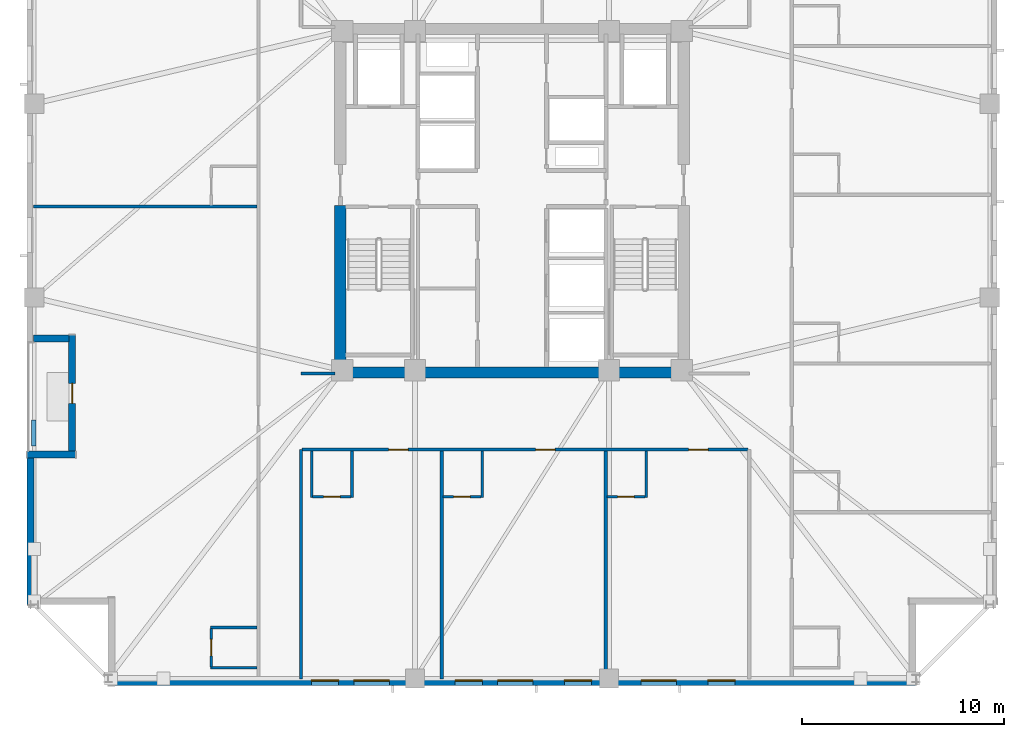
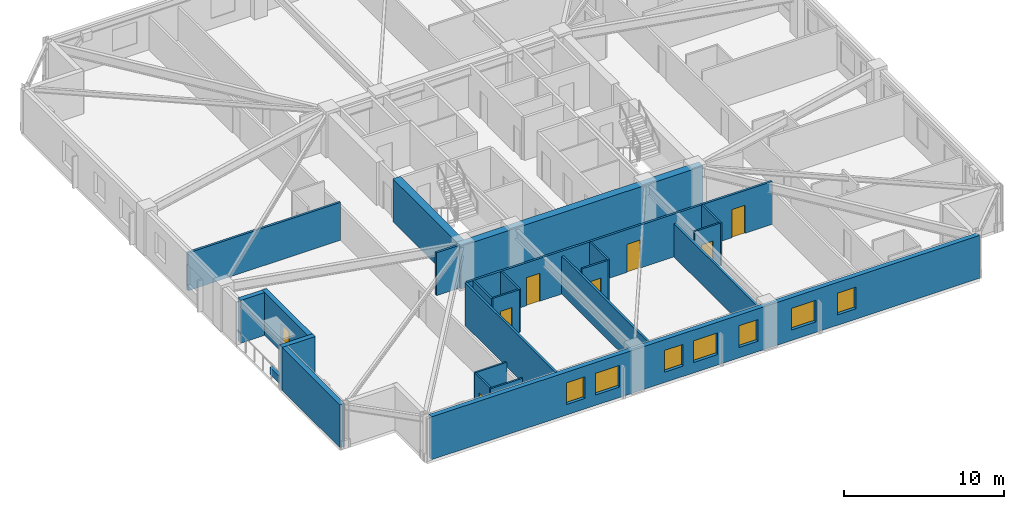
# One storey, part 2 of 11: 24 walls, 8 doors, 7 windows, 15 openings.
"""IFC4 building model written with IfcOpenShell, lengths in metres."""

from ifc_helpers import new_model, si_unit, direction, frame, frame_2d, origin, place, context, subcontext, project, spatial, rectangle, extrude, material, layer, layer_set, type_object, element, fill, save


model = new_model("IFC4")

# Units and contexts
model_context = context("Model", 3, precision=1e-05, world=origin(), true_north=direction((0.0, 1.0)))
body_context = subcontext(model_context, "Body", "Model", "MODEL_VIEW")
ifc_project = project(units=[si_unit("LENGTHUNIT", "METRE"), si_unit("AREAUNIT", "SQUARE_METRE"), si_unit("VOLUMEUNIT", "CUBIC_METRE"), si_unit("PLANEANGLEUNIT", "RADIAN"), si_unit("MASSUNIT", "GRAM", prefix="KILO")], contexts=[model_context])

# Site, building, storey
site_placement = place(None, origin())
site = spatial("IfcSite", under=ifc_project, at=site_placement, CompositionType="ELEMENT")
building_placement = place(site_placement, origin())
building = spatial("IfcBuilding", under=site, at=building_placement, Name="Cairnveth Concourse Tower", CompositionType="ELEMENT")
storey_placement = place(building_placement, frame((0.0, 0.0, 130.5)))
storey = spatial("IfcBuildingStorey", under=building, at=storey_placement, Name="L35", CompositionType="ELEMENT", Elevation=130.5)

# Walls
ifc_material_1 = material(Name="Gypsum Plasterboard Partition", Category="gypsum")
ifc_layer_1 = layer(ifc_material_1, 0.159912109375)
ifc_layer_set_1 = layer_set([ifc_layer_1], Name="Gypsum Plasterboard Partition")
wall_type_1 = type_object("IfcWallType", Name="ACOUSTIC PARTY WALL 180", PredefinedType="PARTITIONING", material=ifc_layer_set_1)
wall_1_placement = place(storey_placement, frame((41.550048828125, 15.324951171875, 0.0), z_axis=(0.0, 0.0, 1.0), x_axis=(0.0, 1.0, 0.0)))
element("IfcWall", 1, at=wall_1_placement, inside=storey, type_object=wall_type_1, Name="Interior Wall IW-L35-037", PredefinedType="PARTITIONING", context=body_context, shape_type="SweptSolid", body=[
    extrude(rectangle(XDim=11.35498046875, YDim=0.159912109375, at=frame_2d((5.677490234375, 0.0))), origin(), (0.0, 0.0, 1.0), 3.280029296875),
])
wall_2_placement = place(storey_placement, frame((41.550048828125, 30.449951171875, 0.0), z_axis=(0.0, 0.0, 1.0), x_axis=(1.0, 0.0, 0.0)))
element("IfcWall", 2, at=wall_2_placement, inside=storey, type_object=wall_type_1, Name="Interior Wall IW-L35-039", PredefinedType="PARTITIONING", context=body_context, shape_type="SweptSolid", body=[
    extrude(rectangle(XDim=1.68505859375, YDim=0.159912109375, at=frame_2d((0.842529296875, 0.0))), origin(), (0.0, 0.0, 1.0), 3.280029296875),
])

# Wall, openings, doors
wall_3_placement = place(storey_placement, frame((41.614990234375, 26.679931640625, 0.0), z_axis=(0.0, 0.0, 1.0), x_axis=(1.0, 0.0, 0.0)))
wall_3 = element("IfcWall", 3, at=wall_3_placement, inside=storey, type_object=wall_type_1, Name="Interior Wall IW-L35-046", PredefinedType="PARTITIONING", context=body_context, shape_type="SweptSolid", body=[
    extrude(rectangle(XDim=22.070068359375, YDim=0.159912109375, at=frame_2d((11.03515625, 0.0))), origin(), (0.0, 0.0, 1.0), 3.280029296875),
])
opening_1_placement = place(wall_3_placement, frame((4.281005859375, 0.0, 0.0)))
opening_1 = element("IfcOpeningElement", 4, at=opening_1_placement, cuts=wall_3, Name="Opening ID09", PredefinedType="OPENING", context=body_context, shape_type="SweptSolid", body=[
    extrude(rectangle(XDim=0.9599609375, YDim=2.14990234375, at=frame_2d((0.47998046875, 1.074951171875))), frame((0.0, 0.08984375, 0.0), z_axis=(0.0, -1.0, 0.0), x_axis=(1.0, 0.0, 0.0)), (0.0, 0.0, 1.0), 0.179931640625),
])
opening_2_placement = place(wall_3_placement, frame((11.56005859375, 0.0, 0.0)))
opening_2 = element("IfcOpeningElement", 5, at=opening_2_placement, cuts=wall_3, Name="Opening ID09", PredefinedType="OPENING", context=body_context, shape_type="SweptSolid", body=[
    extrude(rectangle(XDim=0.9599609375, YDim=2.14990234375, at=frame_2d((0.47998046875, 1.074951171875))), frame((0.0, 0.08984375, 0.0), z_axis=(0.0, -1.0, 0.0), x_axis=(1.0, 0.0, 0.0)), (0.0, 0.0, 1.0), 0.179931640625),
])
opening_3_placement = place(wall_3_placement, frame((19.13427734375, 0.0, 0.0)))
opening_3 = element("IfcOpeningElement", 6, at=opening_3_placement, cuts=wall_3, Name="Opening ID09", PredefinedType="OPENING", context=body_context, shape_type="SweptSolid", body=[
    extrude(rectangle(XDim=0.9599609375, YDim=2.14990234375, at=frame_2d((0.47998046875, 1.074951171875))), frame((0.0, 0.08984375, 0.0), z_axis=(0.0, -1.0, 0.0), x_axis=(1.0, 0.0, 0.0)), (0.0, 0.0, 1.0), 0.179931640625),
])
ifc_material_2 = material(Name="Solid Core Hardwood Timber Leaf", Category="wood")
door_type_1 = type_object("IfcDoorType", Name="HOTEL ENTRANCE DOOR 960X2150", OperationType="NOTDEFINED", PredefinedType="DOOR", material=ifc_material_2)
door_1_placement = place(opening_1_placement, origin())
door_1 = element("IfcDoor", 7, at=door_1_placement, inside=storey, type_object=door_type_1, Name="Hotel Room Door L35-S1", OperationType="SINGLE_SWING_LEFT", OverallHeight=2.14990234375, OverallWidth=0.9599609375, PredefinedType="DOOR", context=body_context, shape_type="SweptSolid", body=[
    extrude(rectangle(XDim=0.9599609375, YDim=2.14990234375, at=frame_2d((0.47998046875, 1.074951171875))), frame((0.0, 0.02490234375, 0.0), z_axis=(0.0, -1.0, 0.0), x_axis=(1.0, 0.0, 0.0)), (0.0, 0.0, 1.0), 0.050048828125),
])
fill(opening_1, door_1)
door_2_placement = place(opening_2_placement, origin())
door_2 = element("IfcDoor", 8, at=door_2_placement, inside=storey, type_object=door_type_1, Name="Hotel Room Door L35-S2", OperationType="SINGLE_SWING_LEFT", OverallHeight=2.14990234375, OverallWidth=0.9599609375, PredefinedType="DOOR", context=body_context, shape_type="SweptSolid", body=[
    extrude(rectangle(XDim=0.9599609375, YDim=2.14990234375, at=frame_2d((0.47998046875, 1.074951171875))), frame((0.0, 0.02490234375, 0.0), z_axis=(0.0, -1.0, 0.0), x_axis=(1.0, 0.0, 0.0)), (0.0, 0.0, 1.0), 0.050048828125),
])
fill(opening_2, door_2)
door_3_placement = place(opening_3_placement, origin())
door_3 = element("IfcDoor", 9, at=door_3_placement, inside=storey, type_object=door_type_1, Name="Hotel Room Door L35-S3", OperationType="SINGLE_SWING_LEFT", OverallHeight=2.14990234375, OverallWidth=0.9599609375, PredefinedType="DOOR", context=body_context, shape_type="SweptSolid", body=[
    extrude(rectangle(XDim=0.9599609375, YDim=2.14990234375, at=frame_2d((0.47998046875, 1.074951171875))), frame((0.0, 0.02490234375, 0.0), z_axis=(0.0, -1.0, 0.0), x_axis=(1.0, 0.0, 0.0)), (0.0, 0.0, 1.0), 0.050048828125),
])
fill(opening_3, door_3)

# Walls
wall_4_placement = place(storey_placement, frame((48.521728515625, 15.324951171875, 0.0), z_axis=(0.0, 0.0, 1.0), x_axis=(0.0, 1.0, 0.0)))
element("IfcWall", 10, at=wall_4_placement, inside=storey, type_object=wall_type_1, Name="Interior Wall IW-L35-052", PredefinedType="PARTITIONING", context=body_context, shape_type="SweptSolid", body=[
    extrude(rectangle(XDim=11.275146484375, YDim=0.159912109375, at=frame_2d((5.6376953125, 0.0))), origin(), (0.0, 0.0, 1.0), 2.89599609375),
])
wall_5_placement = place(storey_placement, frame((56.63818359375, 15.324951171875, 0.0), z_axis=(0.0, 0.0, 1.0), x_axis=(0.0, 1.0, 0.0)))
element("IfcWall", 11, at=wall_5_placement, inside=storey, type_object=wall_type_1, Name="Interior Wall IW-L35-055", PredefinedType="PARTITIONING", context=body_context, shape_type="SweptSolid", body=[
    extrude(rectangle(XDim=11.275146484375, YDim=0.159912109375, at=frame_2d((5.6376953125, 0.0))), origin(), (0.0, 0.0, 1.0), 2.554931640625),
])
wall_6_placement = place(storey_placement, frame((28.324951171875, 38.704345703125, 0.0), z_axis=(0.0, 0.0, 1.0), x_axis=(1.0, 0.0, 0.0)))
element("IfcWall", 12, at=wall_6_placement, inside=storey, type_object=wall_type_1, Name="Interior Wall IW-L35-061", PredefinedType="PARTITIONING", context=body_context, shape_type="SweptSolid", body=[
    extrude(rectangle(XDim=11.045166015625, YDim=0.159912109375, at=frame_2d((5.5224609375, 0.0))), origin(), (0.0, 0.0, 1.0), 2.89599609375),
])
ifc_material_3 = material(Name="Concrete N80 (80 MPa)", Category="concrete")
ifc_layer_2 = layer(ifc_material_3, 0.550048828125)
ifc_layer_set_2 = layer_set([ifc_layer_2], Name="Concrete N80 (80 MPa)")
wall_type_2 = type_object("IfcWallType", Name="CORE SHEAR WALL 550", PredefinedType="SHEAR", material=ifc_layer_set_2)
wall_7_placement = place(storey_placement, frame((43.22509765625, 30.5, 0.0), z_axis=(0.0, 0.0, 1.0), x_axis=(1.0, 0.0, 0.0)))
element("IfcWall", 13, at=wall_7_placement, inside=storey, type_object=wall_type_2, Name="Core South Shear Wall L35", PredefinedType="SHEAR", context=body_context, shape_type="SweptSolid", body=[
    extrude(rectangle(XDim=17.5498046875, YDim=0.550048828125, at=frame_2d((8.77490234375, 0.0))), origin(), (0.0, 0.0, 1.0), 3.280029296875),
])
wall_8_placement = place(storey_placement, frame((43.5, 30.764892578125, 0.0), z_axis=(0.0, 0.0, 1.0), x_axis=(0.0, 1.0, 0.0)))
element("IfcWall", 14, at=wall_8_placement, inside=storey, type_object=wall_type_2, Name="Core West Shear Wall S L35", PredefinedType="SHEAR", context=body_context, shape_type="SweptSolid", body=[
    extrude(rectangle(XDim=7.985107421875, YDim=0.550048828125, at=frame_2d((3.99267578125, 0.0))), origin(), (0.0, 0.0, 1.0), 3.280029296875),
])
ifc_material_4 = material(Name="Dressed Melbourne Bluestone Cladding", Category="masonry")
ifc_layer_3 = layer(ifc_material_4, 0.219970703125)
ifc_layer_set_3 = layer_set([ifc_layer_3], Name="Dressed Melbourne Bluestone Cladding")
wall_type_3 = type_object("IfcWallType", Name="TERRACE PLANTER CURB WALL 220", PredefinedType="PARAPET", material=ifc_layer_set_3)
wall_9_placement = place(storey_placement, frame((28.320068359375, 26.85009765625, 0.0), z_axis=(0.0, 0.0, 1.0), x_axis=(0.0, 1.0, 0.0)))
element("IfcWall", 15, at=wall_9_placement, inside=storey, type_object=wall_type_3, Name="Exterior Wall PLNT-L35-TERR", PredefinedType="PARAPET", context=body_context, shape_type="SweptSolid", body=[
    extrude(rectangle(XDim=1.2998046875, YDim=0.219970703125, at=frame_2d((0.64990234375, 0.0))), origin(), (0.0, 0.0, 1.0), 0.550048828125),
])
ifc_layer_4 = layer(ifc_material_1, 0.1298828125)
ifc_layer_set_4 = layer_set([ifc_layer_4], Name="Gypsum Plasterboard Partition")
wall_type_4 = type_object("IfcWallType", Name="WET AREA PARTITION 140", PredefinedType="PLUMBINGWALL", material=ifc_layer_set_4)
for number, where, z_axis, x_axis, name in (
    (16, (42.080078125, 24.300048828125, 0.0), (0.0, 0.0, 1.0), (0.0, 1.0, 0.0), "Interior Wall IW-L35-049"),
    (17, (44.080078125, 24.300048828125, 0.0), (0.0, 0.0, 1.0), (0.0, 1.0, 0.0), "Interior Wall IW-L35-050"),
):
    element("IfcWall", number, at=place(storey_placement, frame(where, z_axis=z_axis, x_axis=x_axis)), inside=storey, type_object=wall_type_4, Name=name, PredefinedType="PLUMBINGWALL", context=body_context, shape_type="SweptSolid", body=[
        extrude(rectangle(XDim=2.31494140625, YDim=0.1298828125, at=frame_2d((1.157470703125, 0.0))), origin(), (0.0, 0.0, 1.0), 3.280029296875),
    ])

# Wall, opening, door
wall_10_placement = place(storey_placement, frame((42.1298828125, 24.35009765625, 0.0), z_axis=(0.0, 0.0, 1.0), x_axis=(1.0, 0.0, 0.0)))
wall_10 = element("IfcWall", 18, at=wall_10_placement, inside=storey, type_object=wall_type_4, Name="Interior Wall IW-L35-051", PredefinedType="PLUMBINGWALL", context=body_context, shape_type="SweptSolid", body=[
    extrude(rectangle(XDim=1.900146484375, YDim=0.1298828125, at=frame_2d((0.9501953125, 0.0))), origin(), (0.0, 0.0, 1.0), 3.280029296875),
])
opening_4_placement = place(wall_10_placement, frame((0.5400390625, 0.0, 0.0)))
opening_4 = element("IfcOpeningElement", 19, at=opening_4_placement, cuts=wall_10, Name="Opening ID22", PredefinedType="OPENING", context=body_context, shape_type="SweptSolid", body=[
    extrude(rectangle(XDim=0.820068359375, YDim=2.10009765625, at=frame_2d((0.41015625, 1.050048828125))), frame((0.0, 0.074951171875, 0.0), z_axis=(0.0, -1.0, 0.0), x_axis=(1.0, 0.0, 0.0)), (0.0, 0.0, 1.0), 0.14990234375),
])
door_type_2 = type_object("IfcDoorType", Name="INTERIOR WC DOOR 820X2100", OperationType="NOTDEFINED", PredefinedType="DOOR", material=ifc_material_2)
door_4_placement = place(opening_4_placement, origin())
door_4 = element("IfcDoor", 20, at=door_4_placement, inside=storey, type_object=door_type_2, Name="En-Suite Door L35-S1", OperationType="SINGLE_SWING_RIGHT", OverallHeight=2.10009765625, OverallWidth=0.820068359375, PredefinedType="DOOR", context=body_context, shape_type="SweptSolid", body=[
    extrude(rectangle(XDim=0.820068359375, YDim=2.10009765625, at=frame_2d((0.41015625, 1.050048828125))), frame((0.0, 0.02490234375, 0.0), z_axis=(0.0, -1.0, 0.0), x_axis=(1.0, 0.0, 0.0)), (0.0, 0.0, 1.0), 0.050048828125),
])
fill(opening_4, door_4)

# Wall
wall_11_placement = place(storey_placement, frame((50.521728515625, 24.300048828125, 0.0), z_axis=(0.0, 0.0, 1.0), x_axis=(0.0, 1.0, 0.0)))
element("IfcWall", 21, at=wall_11_placement, inside=storey, type_object=wall_type_4, Name="Interior Wall IW-L35-053", PredefinedType="PLUMBINGWALL", context=body_context, shape_type="SweptSolid", body=[
    extrude(rectangle(XDim=2.31494140625, YDim=0.1298828125, at=frame_2d((1.157470703125, 0.0))), origin(), (0.0, 0.0, 1.0), 3.280029296875),
])

# Wall, opening, door
wall_12_placement = place(storey_placement, frame((48.586669921875, 24.35009765625, 0.0), z_axis=(0.0, 0.0, 1.0), x_axis=(1.0, 0.0, 0.0)))
wall_12 = element("IfcWall", 22, at=wall_12_placement, inside=storey, type_object=wall_type_4, Name="Interior Wall IW-L35-054", PredefinedType="PLUMBINGWALL", context=body_context, shape_type="SweptSolid", body=[
    extrude(rectangle(XDim=1.885009765625, YDim=0.1298828125, at=frame_2d((0.9423828125, 0.0))), origin(), (0.0, 0.0, 1.0), 3.280029296875),
])
opening_5_placement = place(wall_12_placement, frame((0.52490234375, 0.0, 0.0)))
opening_5 = element("IfcOpeningElement", 23, at=opening_5_placement, cuts=wall_12, Name="Opening ID22", PredefinedType="OPENING", context=body_context, shape_type="SweptSolid", body=[
    extrude(rectangle(XDim=0.820068359375, YDim=2.10009765625, at=frame_2d((0.41015625, 1.050048828125))), frame((0.0, 0.074951171875, 0.0), z_axis=(0.0, -1.0, 0.0), x_axis=(1.0, 0.0, 0.0)), (0.0, 0.0, 1.0), 0.14990234375),
])
door_5_placement = place(opening_5_placement, origin())
door_5 = element("IfcDoor", 24, at=door_5_placement, inside=storey, type_object=door_type_2, Name="En-Suite Door L35-S2", OperationType="SINGLE_SWING_RIGHT", OverallHeight=2.10009765625, OverallWidth=0.820068359375, PredefinedType="DOOR", context=body_context, shape_type="SweptSolid", body=[
    extrude(rectangle(XDim=0.820068359375, YDim=2.10009765625, at=frame_2d((0.41015625, 1.050048828125))), frame((0.0, 0.02490234375, 0.0), z_axis=(0.0, -1.0, 0.0), x_axis=(1.0, 0.0, 0.0)), (0.0, 0.0, 1.0), 0.050048828125),
])
fill(opening_5, door_5)

# Wall
wall_13_placement = place(storey_placement, frame((58.63818359375, 24.300048828125, 0.0), z_axis=(0.0, 0.0, 1.0), x_axis=(0.0, 1.0, 0.0)))
element("IfcWall", 25, at=wall_13_placement, inside=storey, type_object=wall_type_4, Name="Interior Wall IW-L35-056", PredefinedType="PLUMBINGWALL", context=body_context, shape_type="SweptSolid", body=[
    extrude(rectangle(XDim=2.31494140625, YDim=0.1298828125, at=frame_2d((1.157470703125, 0.0))), origin(), (0.0, 0.0, 1.0), 3.280029296875),
])

# Wall, opening, door
wall_14_placement = place(storey_placement, frame((56.703369140625, 24.35009765625, 0.0), z_axis=(0.0, 0.0, 1.0), x_axis=(1.0, 0.0, 0.0)))
wall_14 = element("IfcWall", 26, at=wall_14_placement, inside=storey, type_object=wall_type_4, Name="Interior Wall IW-L35-057", PredefinedType="PLUMBINGWALL", context=body_context, shape_type="SweptSolid", body=[
    extrude(rectangle(XDim=1.885009765625, YDim=0.1298828125, at=frame_2d((0.9423828125, 0.0))), origin(), (0.0, 0.0, 1.0), 3.280029296875),
])
opening_6_placement = place(wall_14_placement, frame((0.52490234375, 0.0, 0.0)))
opening_6 = element("IfcOpeningElement", 27, at=opening_6_placement, cuts=wall_14, Name="Opening ID22", PredefinedType="OPENING", context=body_context, shape_type="SweptSolid", body=[
    extrude(rectangle(XDim=0.820068359375, YDim=2.10009765625, at=frame_2d((0.41015625, 1.050048828125))), frame((0.0, 0.074951171875, 0.0), z_axis=(0.0, -1.0, 0.0), x_axis=(1.0, 0.0, 0.0)), (0.0, 0.0, 1.0), 0.14990234375),
])
door_6_placement = place(opening_6_placement, origin())
door_6 = element("IfcDoor", 28, at=door_6_placement, inside=storey, type_object=door_type_2, Name="En-Suite Door L35-S3", OperationType="SINGLE_SWING_RIGHT", OverallHeight=2.10009765625, OverallWidth=0.820068359375, PredefinedType="DOOR", context=body_context, shape_type="SweptSolid", body=[
    extrude(rectangle(XDim=0.820068359375, YDim=2.10009765625, at=frame_2d((0.41015625, 1.050048828125))), frame((0.0, 0.02490234375, 0.0), z_axis=(0.0, -1.0, 0.0), x_axis=(1.0, 0.0, 0.0)), (0.0, 0.0, 1.0), 0.050048828125),
])
fill(opening_6, door_6)

# Walls
for number, where, z_axis, x_axis, name in (
    (29, (37.070068359375, 15.8701171875, 0.0), (0.0, 0.0, 1.0), (1.0, 0.0, 0.0), "Interior Wall IW-L35-058"),
    (30, (37.070068359375, 17.8701171875, 0.0), (0.0, 0.0, 1.0), (1.0, 0.0, 0.0), "Interior Wall IW-L35-059"),
):
    element("IfcWall", number, at=place(storey_placement, frame(where, z_axis=z_axis, x_axis=x_axis)), inside=storey, type_object=wall_type_4, Name=name, PredefinedType="PLUMBINGWALL", context=body_context, shape_type="SweptSolid", body=[
        extrude(rectangle(XDim=2.31494140625, YDim=0.1298828125, at=frame_2d((1.157470703125, 0.0))), origin(), (0.0, 0.0, 1.0), 3.280029296875),
    ])

# Wall, opening, door
wall_15_placement = place(storey_placement, frame((37.1201171875, 15.919921875, 0.0), z_axis=(0.0, 0.0, 1.0), x_axis=(0.0, 1.0, 0.0)))
wall_15 = element("IfcWall", 31, at=wall_15_placement, inside=storey, type_object=wall_type_4, Name="Interior Wall IW-L35-060", PredefinedType="PLUMBINGWALL", context=body_context, shape_type="SweptSolid", body=[
    extrude(rectangle(XDim=1.900146484375, YDim=0.1298828125, at=frame_2d((0.9501953125, 0.0))), origin(), (0.0, 0.0, 1.0), 3.280029296875),
])
opening_7_placement = place(wall_15_placement, frame((0.5400390625, 0.0, 0.0)))
opening_7 = element("IfcOpeningElement", 32, at=opening_7_placement, cuts=wall_15, Name="Opening ID22", PredefinedType="OPENING", context=body_context, shape_type="SweptSolid", body=[
    extrude(rectangle(XDim=0.820068359375, YDim=2.10009765625, at=frame_2d((0.41015625, 1.050048828125))), frame((0.0, 0.074951171875, 0.0), z_axis=(0.0, -1.0, 0.0), x_axis=(1.0, 0.0, 0.0)), (0.0, 0.0, 1.0), 0.14990234375),
])
door_7_placement = place(opening_7_placement, origin())
door_7 = element("IfcDoor", 33, at=door_7_placement, inside=storey, type_object=door_type_2, Name="En-Suite Door L35-W1", OperationType="SINGLE_SWING_RIGHT", OverallHeight=2.10009765625, OverallWidth=0.820068359375, PredefinedType="DOOR", context=body_context, shape_type="SweptSolid", body=[
    extrude(rectangle(XDim=0.820068359375, YDim=2.10009765625, at=frame_2d((0.41015625, 1.050048828125))), frame((0.0, 0.02490234375, 0.0), z_axis=(0.0, -1.0, 0.0), x_axis=(1.0, 0.0, 0.0)), (0.0, 0.0, 1.0), 0.050048828125),
])
fill(opening_7, door_7)

# Wall, openings, windows
ifc_material_5 = material(Name="Hawthorn Red-Ochre Fired Clay Brick Masonry", Category="masonry")
ifc_layer_5 = layer(ifc_material_5, 0.340087890625)
ifc_layer_set_5 = layer_set([ifc_layer_5], Name="Hawthorn Red-Ochre Fired Clay Brick Masonry")
wall_type_5 = type_object("IfcWallType", Name="ZONE 2 BRICK PIER SPANDREL WALL 340", PredefinedType="SOLIDWALL", material=ifc_layer_set_5)
wall_16_placement = place(storey_placement, frame((72.0, 15.169921875, 0.0), z_axis=(0.0, 0.0, 1.0), x_axis=(-1.0, 0.0, 0.0)))
wall_16 = element("IfcWall", 34, at=wall_16_placement, inside=storey, type_object=wall_type_5, Name="Exterior Wall EW-L35-S09", PredefinedType="SOLIDWALL", context=body_context, shape_type="SweptSolid", body=[
    extrude(rectangle(XDim=39.681884765625, YDim=0.340087890625, at=frame_2d((19.8408203125, 0.0))), origin(), (0.0, 0.0, 1.0), 3.280029296875),
])
opening_8_placement = place(wall_16_placement, frame((8.955322265625, 0.0, 0.800048828125)))
opening_8 = element("IfcOpeningElement", 35, at=opening_8_placement, cuts=wall_16, Name="Opening W02", PredefinedType="OPENING", context=body_context, shape_type="SweptSolid", body=[
    extrude(rectangle(XDim=1.35009765625, YDim=1.659912109375, at=frame_2d((0.675048828125, 0.830078125))), frame((0.0, 0.179931640625, 0.0), z_axis=(0.0, -1.0, 0.0), x_axis=(1.0, 0.0, 0.0)), (0.0, 0.0, 1.0), 0.360107421875),
])
opening_9_placement = place(wall_16_placement, frame((11.85888671875, 0.0, 0.800048828125)))
opening_9 = element("IfcOpeningElement", 36, at=opening_9_placement, cuts=wall_16, Name="Opening W06", PredefinedType="OPENING", context=body_context, shape_type="SweptSolid", body=[
    extrude(rectangle(XDim=1.75, YDim=1.659912109375, at=frame_2d((0.875, 0.830078125))), frame((0.0, 0.179931640625, 0.0), z_axis=(0.0, -1.0, 0.0), x_axis=(1.0, 0.0, 0.0)), (0.0, 0.0, 1.0), 0.360107421875),
])
opening_10_placement = place(wall_16_placement, frame((16.0625, 0.0, 0.800048828125)))
opening_10 = element("IfcOpeningElement", 37, at=opening_10_placement, cuts=wall_16, Name="Opening W02", PredefinedType="OPENING", context=body_context, shape_type="SweptSolid", body=[
    extrude(rectangle(XDim=1.35009765625, YDim=1.659912109375, at=frame_2d((0.675048828125, 0.830078125))), frame((0.0, 0.179931640625, 0.0), z_axis=(0.0, -1.0, 0.0), x_axis=(1.0, 0.0, 0.0)), (0.0, 0.0, 1.0), 0.360107421875),
])
opening_11_placement = place(wall_16_placement, frame((18.966064453125, 0.0, 0.800048828125)))
opening_11 = element("IfcOpeningElement", 38, at=opening_11_placement, cuts=wall_16, Name="Opening W06", PredefinedType="OPENING", context=body_context, shape_type="SweptSolid", body=[
    extrude(rectangle(XDim=1.75, YDim=1.659912109375, at=frame_2d((0.875, 0.830078125))), frame((0.0, 0.179931640625, 0.0), z_axis=(0.0, -1.0, 0.0), x_axis=(1.0, 0.0, 0.0)), (0.0, 0.0, 1.0), 0.360107421875),
])
opening_12_placement = place(wall_16_placement, frame((21.469482421875, 0.0, 0.800048828125)))
opening_12 = element("IfcOpeningElement", 39, at=opening_12_placement, cuts=wall_16, Name="Opening W02", PredefinedType="OPENING", context=body_context, shape_type="SweptSolid", body=[
    extrude(rectangle(XDim=1.35009765625, YDim=1.659912109375, at=frame_2d((0.675048828125, 0.830078125))), frame((0.0, 0.179931640625, 0.0), z_axis=(0.0, -1.0, 0.0), x_axis=(1.0, 0.0, 0.0)), (0.0, 0.0, 1.0), 0.360107421875),
])
opening_13_placement = place(wall_16_placement, frame((26.072998046875, 0.0, 0.800048828125)))
opening_13 = element("IfcOpeningElement", 40, at=opening_13_placement, cuts=wall_16, Name="Opening W06", PredefinedType="OPENING", context=body_context, shape_type="SweptSolid", body=[
    extrude(rectangle(XDim=1.75, YDim=1.659912109375, at=frame_2d((0.875, 0.830078125))), frame((0.0, 0.179931640625, 0.0), z_axis=(0.0, -1.0, 0.0), x_axis=(1.0, 0.0, 0.0)), (0.0, 0.0, 1.0), 0.360107421875),
])
opening_14_placement = place(wall_16_placement, frame((28.57666015625, 0.0, 0.800048828125)))
opening_14 = element("IfcOpeningElement", 41, at=opening_14_placement, cuts=wall_16, Name="Opening W02", PredefinedType="OPENING", context=body_context, shape_type="SweptSolid", body=[
    extrude(rectangle(XDim=1.35009765625, YDim=1.659912109375, at=frame_2d((0.675048828125, 0.830078125))), frame((0.0, 0.179931640625, 0.0), z_axis=(0.0, -1.0, 0.0), x_axis=(1.0, 0.0, 0.0)), (0.0, 0.0, 1.0), 0.360107421875),
])
ifc_material_6 = material(Name="Double Glazed Low-E Clear Glass", Category="glass")
window_type_1 = type_object("IfcWindowType", Name="DEEP-SET GOTHIC LANCET WINDOW 1350X1800", PartitioningType="DOUBLE_PANEL_VERTICAL", PredefinedType="WINDOW", material=ifc_material_6)
window_1_placement = place(opening_8_placement, origin())
window_1 = element("IfcWindow", 42, at=window_1_placement, inside=storey, type_object=window_type_1, Name="Gothic Lancet Window L35-9-2", OverallHeight=1.659912109375, OverallWidth=1.35009765625, PartitioningType="SINGLE_PANEL", PredefinedType="WINDOW", context=body_context, shape_type="SweptSolid", body=[
    extrude(rectangle(XDim=1.35009765625, YDim=1.659912109375, at=frame_2d((0.675048828125, 0.830078125))), frame((0.0, -0.050048828125, 0.0), z_axis=(0.0, -1.0, 0.0), x_axis=(1.0, 0.0, 0.0)), (0.0, 0.0, 1.0), 0.06005859375),
])
fill(opening_8, window_1)
window_2_placement = place(opening_10_placement, origin())
window_2 = element("IfcWindow", 43, at=window_2_placement, inside=storey, type_object=window_type_1, Name="Gothic Lancet Window L35-9-4", OverallHeight=1.659912109375, OverallWidth=1.35009765625, PartitioningType="SINGLE_PANEL", PredefinedType="WINDOW", context=body_context, shape_type="SweptSolid", body=[
    extrude(rectangle(XDim=1.35009765625, YDim=1.659912109375, at=frame_2d((0.675048828125, 0.830078125))), frame((0.0, -0.050048828125, 0.0), z_axis=(0.0, -1.0, 0.0), x_axis=(1.0, 0.0, 0.0)), (0.0, 0.0, 1.0), 0.06005859375),
])
fill(opening_10, window_2)
window_3_placement = place(opening_12_placement, origin())
window_3 = element("IfcWindow", 44, at=window_3_placement, inside=storey, type_object=window_type_1, Name="Gothic Lancet Window L35-9-6", OverallHeight=1.659912109375, OverallWidth=1.35009765625, PartitioningType="SINGLE_PANEL", PredefinedType="WINDOW", context=body_context, shape_type="SweptSolid", body=[
    extrude(rectangle(XDim=1.35009765625, YDim=1.659912109375, at=frame_2d((0.675048828125, 0.830078125))), frame((0.0, -0.050048828125, 0.0), z_axis=(0.0, -1.0, 0.0), x_axis=(1.0, 0.0, 0.0)), (0.0, 0.0, 1.0), 0.06005859375),
])
fill(opening_12, window_3)
window_4_placement = place(opening_14_placement, origin())
window_4 = element("IfcWindow", 45, at=window_4_placement, inside=storey, type_object=window_type_1, Name="Gothic Lancet Window L35-9-8", OverallHeight=1.659912109375, OverallWidth=1.35009765625, PartitioningType="SINGLE_PANEL", PredefinedType="WINDOW", context=body_context, shape_type="SweptSolid", body=[
    extrude(rectangle(XDim=1.35009765625, YDim=1.659912109375, at=frame_2d((0.675048828125, 0.830078125))), frame((0.0, -0.050048828125, 0.0), z_axis=(0.0, -1.0, 0.0), x_axis=(1.0, 0.0, 0.0)), (0.0, 0.0, 1.0), 0.06005859375),
])
fill(opening_14, window_4)
window_type_2 = type_object("IfcWindowType", Name="DEEP-SET HOTEL SUITE WINDOW 1750X1800", PartitioningType="DOUBLE_PANEL_VERTICAL", PredefinedType="WINDOW", material=ifc_material_6)
window_5_placement = place(opening_9_placement, origin())
window_5 = element("IfcWindow", 46, at=window_5_placement, inside=storey, type_object=window_type_2, Name="Gothic Lancet Window L35-9-3", OverallHeight=1.659912109375, OverallWidth=1.75, PartitioningType="SINGLE_PANEL", PredefinedType="WINDOW", context=body_context, shape_type="SweptSolid", body=[
    extrude(rectangle(XDim=1.75, YDim=1.659912109375, at=frame_2d((0.875, 0.830078125))), frame((0.0, -0.050048828125, 0.0), z_axis=(0.0, -1.0, 0.0), x_axis=(1.0, 0.0, 0.0)), (0.0, 0.0, 1.0), 0.06005859375),
])
fill(opening_9, window_5)
window_6_placement = place(opening_11_placement, origin())
window_6 = element("IfcWindow", 47, at=window_6_placement, inside=storey, type_object=window_type_2, Name="Gothic Lancet Window L35-9-5", OverallHeight=1.659912109375, OverallWidth=1.75, PartitioningType="SINGLE_PANEL", PredefinedType="WINDOW", context=body_context, shape_type="SweptSolid", body=[
    extrude(rectangle(XDim=1.75, YDim=1.659912109375, at=frame_2d((0.875, 0.830078125))), frame((0.0, -0.050048828125, 0.0), z_axis=(0.0, -1.0, 0.0), x_axis=(1.0, 0.0, 0.0)), (0.0, 0.0, 1.0), 0.06005859375),
])
fill(opening_11, window_6)
window_7_placement = place(opening_13_placement, origin())
window_7 = element("IfcWindow", 48, at=window_7_placement, inside=storey, type_object=window_type_2, Name="Gothic Lancet Window L35-9-7", OverallHeight=1.659912109375, OverallWidth=1.75, PartitioningType="SINGLE_PANEL", PredefinedType="WINDOW", context=body_context, shape_type="SweptSolid", body=[
    extrude(rectangle(XDim=1.75, YDim=1.659912109375, at=frame_2d((0.875, 0.830078125))), frame((0.0, -0.050048828125, 0.0), z_axis=(0.0, -1.0, 0.0), x_axis=(1.0, 0.0, 0.0)), (0.0, 0.0, 1.0), 0.06005859375),
])
fill(opening_13, window_7)

# Walls
wall_17_placement = place(storey_placement, frame((28.169921875, 19.0, 0.0), z_axis=(0.0, 0.0, 1.0), x_axis=(0.0, 1.0, 0.0)))
element("IfcWall", 49, at=wall_17_placement, inside=storey, type_object=wall_type_5, Name="Exterior Wall EW-L35-S12", PredefinedType="SOLIDWALL", context=body_context, shape_type="SweptSolid", body=[
    extrude(rectangle(XDim=7.281982421875, YDim=0.340087890625, at=frame_2d((3.64111328125, 0.0))), origin(), (0.0, 0.0, 1.0), 3.280029296875),
])
wall_18_placement = place(storey_placement, frame((28.0, 26.429931640625, 0.0), z_axis=(0.0, 0.0, 1.0), x_axis=(1.0, 0.0, 0.0)))
element("IfcWall", 50, at=wall_18_placement, inside=storey, type_object=wall_type_5, Name="Exterior Wall EW-L35-S13", PredefinedType="SOLIDWALL", context=body_context, shape_type="SweptSolid", body=[
    extrude(rectangle(XDim=2.389892578125, YDim=0.340087890625, at=frame_2d((1.19482421875, 0.0))), origin(), (0.0, 0.0, 1.0), 3.280029296875),
])

# Wall, opening, door
wall_19_placement = place(storey_placement, frame((30.219970703125, 26.577880859375, 0.0), z_axis=(0.0, 0.0, 1.0), x_axis=(0.0, 1.0, 0.0)))
wall_19 = element("IfcWall", 51, at=wall_19_placement, inside=storey, type_object=wall_type_5, Name="Exterior Wall EW-L35-S14", PredefinedType="SOLIDWALL", context=body_context, shape_type="SweptSolid", body=[
    extrude(rectangle(XDim=5.76220703125, YDim=0.340087890625, at=frame_2d((2.881103515625, 0.0))), origin(), (0.0, 0.0, 1.0), 3.280029296875),
])
opening_15_placement = place(wall_19_placement, frame((2.381103515625, 0.0, 0.0)))
opening_15 = element("IfcOpeningElement", 52, at=opening_15_placement, cuts=wall_19, Name="Opening ED4", PredefinedType="OPENING", context=body_context, shape_type="SweptSolid", body=[
    extrude(rectangle(XDim=1.0, YDim=2.14990234375, at=frame_2d((0.5, 1.074951171875))), frame((0.0, 0.179931640625, 0.0), z_axis=(0.0, -1.0, 0.0), x_axis=(1.0, 0.0, 0.0)), (0.0, 0.0, 1.0), 0.360107421875),
])
ifc_material_7 = material(Name="Architectural Bronze Anodised Aluminium 6063-T6", Category="aluminium")
door_type_3 = type_object("IfcDoorType", Name="TERRACE GLAZED DOOR 1000X2150", OperationType="NOTDEFINED", PredefinedType="DOOR", material=ifc_material_7)
door_8_placement = place(opening_15_placement, origin())
door_8 = element("IfcDoor", 53, at=door_8_placement, inside=storey, type_object=door_type_3, Name="Spiral Terrace Door L35", OperationType="SINGLE_SWING_RIGHT", OverallHeight=2.14990234375, OverallWidth=1.0, PredefinedType="DOOR", context=body_context, shape_type="SweptSolid", body=[
    extrude(rectangle(XDim=1.0, YDim=2.14990234375, at=frame_2d((0.5, 1.074951171875))), frame((0.0, 0.02490234375, 0.0), z_axis=(0.0, -1.0, 0.0), x_axis=(1.0, 0.0, 0.0)), (0.0, 0.0, 1.0), 0.050048828125),
])
fill(opening_15, door_8)

# Wall
wall_20_placement = place(storey_placement, frame((30.072021484375, 32.169921875, 0.0), z_axis=(0.0, 0.0, 1.0), x_axis=(-1.0, 0.0, 0.0)))
element("IfcWall", 54, at=wall_20_placement, inside=storey, type_object=wall_type_5, Name="Exterior Wall EW-L35-S15", PredefinedType="SOLIDWALL", context=body_context, shape_type="SweptSolid", body=[
    extrude(rectangle(XDim=1.75390625, YDim=0.340087890625, at=frame_2d((0.876953125, 0.0))), origin(), (0.0, 0.0, 1.0), 3.280029296875),
])

save(model, "model.ifc")
